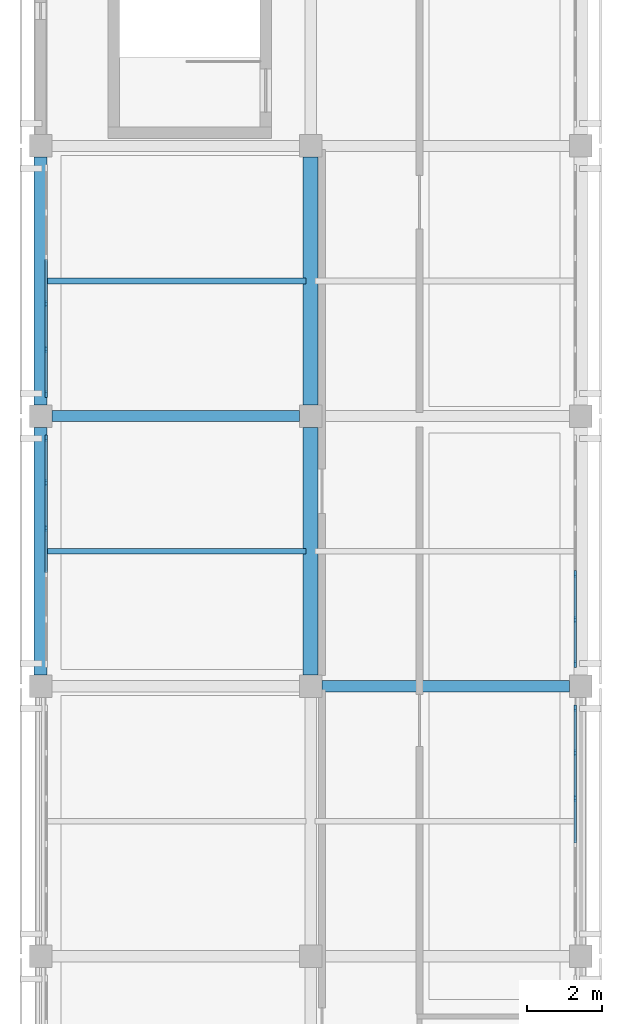
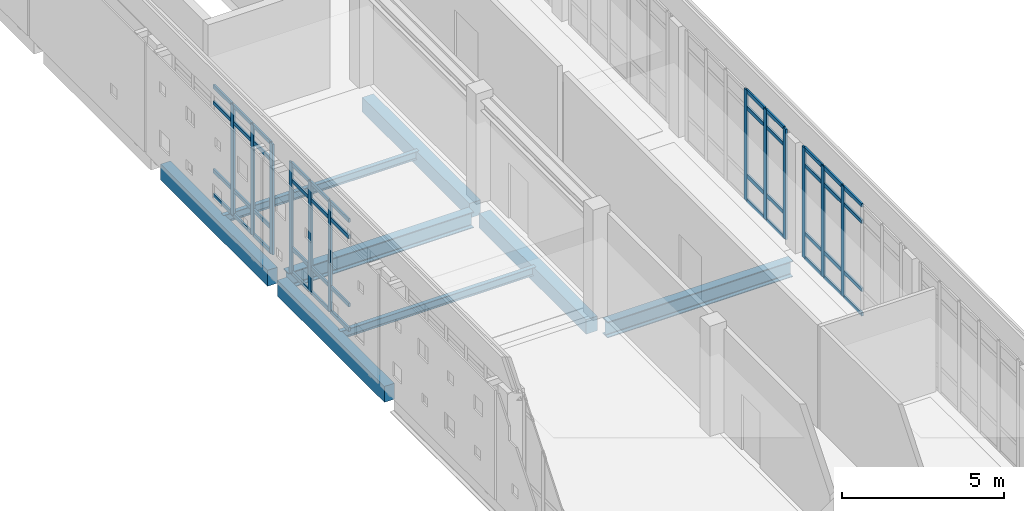
# One storey, part 6 of 19: 56 members, 8 beams, 4 elements without a shape of their own.
"""IFC4 building model written with IfcOpenShell, lengths in metres."""

from ifc_helpers import new_model, si_unit, direction, frame, origin, origin_2d, place, context, subcontext, project, spatial, rectangle, i_section, extrude, material, layer, layer_set, material_profile, profile_set, type_object, element, aggregate, save


model = new_model("IFC4")

# Units and contexts
model_context = context("Model", 3, precision=1e-05, world=origin(), true_north=direction((0.0, 1.0)))
body_context = subcontext(model_context, "Body", "Model", "MODEL_VIEW")
ifc_project = project(units=[si_unit("LENGTHUNIT", "METRE"), si_unit("AREAUNIT", "SQUARE_METRE"), si_unit("VOLUMEUNIT", "CUBIC_METRE"), si_unit("PLANEANGLEUNIT", "RADIAN"), si_unit("MASSUNIT", "GRAM", prefix="KILO")], contexts=[model_context])

# Site, building, storey
site_placement = place(None, origin())
site = spatial("IfcSite", under=ifc_project, at=site_placement, CompositionType="ELEMENT")
building_placement = place(site_placement, origin())
building = spatial("IfcBuilding", under=site, at=building_placement, Name="Valkovuoma Quantum and Materials Research Institute", CompositionType="ELEMENT")
storey_placement = place(building_placement, frame((0.0, 0.0, 38.080078125)))
storey = spatial("IfcBuildingStorey", under=building, at=storey_placement, Name="L09", CompositionType="ELEMENT", Elevation=38.080078125)

# Beams
ifc_material_1 = material(Name="Steel S355J2", Category="steel")
ifc_material_profile_1 = material_profile(ifc_material_1, i_section(OverallWidth=0.300048828125, OverallDepth=0.60009765625, WebThickness=0.015380859375, FlangeThickness=0.030029296875, FilletRadius=0.027099609375, at=origin_2d()), Name="Steel S355J2")
ifc_profile_set_1 = profile_set([ifc_material_profile_1], Name="Steel S355J2")
beam_type_1 = type_object("IfcBeamType", Name="Beam-B-HEB600", PredefinedType="BEAM", material=ifc_profile_set_1)
beam_1_placement = place(storey_placement, frame((7.5, 57.60009765625, -0.650146484375), z_axis=(1.0, 0.0, 0.0), x_axis=(0.0, 1.0, 0.0)))
element("IfcBeam", 1, at=beam_1_placement, inside=storey, type_object=beam_type_1, Name="L09 beam X-2579", PredefinedType="BEAM", context=body_context, shape_type="SweptSolid", body=[
    extrude(i_section(OverallWidth=0.300048828125, OverallDepth=0.60009765625, WebThickness=0.015380859375, FlangeThickness=0.030029296875, FilletRadius=0.027099609375, at=origin_2d()), origin(), (0.0, 0.0, 1.0), 6.60009765625),
])
beam_2_placement = place(storey_placement, frame((0.300048828125, 64.800048828125, -0.650146484375), z_axis=(1.0, 0.0, 0.0), x_axis=(0.0, 1.0, 0.0)))
element("IfcBeam", 2, at=beam_2_placement, inside=storey, type_object=beam_type_1, Name="L09 beam X-2580", PredefinedType="BEAM", context=body_context, shape_type="SweptSolid", body=[
    extrude(i_section(OverallWidth=0.300048828125, OverallDepth=0.60009765625, WebThickness=0.015380859375, FlangeThickness=0.030029296875, FilletRadius=0.027099609375, at=origin_2d()), origin(), (0.0, 0.0, 1.0), 6.599853515625),
])
ifc_material_2 = material(Name="Steel S355J2", Category="steel")
ifc_material_profile_2 = material_profile(ifc_material_2, i_section(OverallWidth=0.14990234375, OverallDepth=0.300048828125, WebThickness=0.007080078125, FlangeThickness=0.0107421875, FilletRadius=0.014892578125, at=origin_2d()), Name="Steel S355J2")
ifc_profile_set_2 = profile_set([ifc_material_profile_2], Name="Steel S355J2")
beam_type_2 = type_object("IfcBeamType", Name="Beam-B-JST300", PredefinedType="JOIST", material=ifc_profile_set_2)
for number, where, z_axis, x_axis, name in (
    (3, (0.1201171875, 61.199951171875, -0.5), (1.0, 0.0, 0.0), (0.0, 1.0, 0.0), "L09 floor joist 2606"),
    (4, (0.1201171875, 68.39990234375, -0.5), (1.0, 0.0, 0.0), (0.0, 1.0, 0.0), "L09 floor joist 2608"),
):
    element("IfcBeam", number, at=place(storey_placement, frame(where, z_axis=z_axis, x_axis=x_axis)), inside=storey, type_object=beam_type_2, Name=name, PredefinedType="JOIST", context=body_context, shape_type="SweptSolid", body=[
        extrude(i_section(OverallWidth=0.14990234375, OverallDepth=0.300048828125, WebThickness=0.007080078125, FlangeThickness=0.0107421875, FilletRadius=0.014892578125, at=origin_2d()), origin(), (0.0, 0.0, 1.0), 6.9599609375),
    ])
ifc_material_3 = material(Name="Concrete C40/50", Category="concrete")
ifc_material_profile_3 = material_profile(ifc_material_3, rectangle(XDim=0.39990234375, YDim=0.550048828125, at=origin_2d()), Name="Concrete C40/50")
ifc_profile_set_3 = profile_set([ifc_material_profile_3], Name="Concrete C40/50")
beam_type_3 = type_object("IfcBeamType", Name="Beam-B-RC550", PredefinedType="BEAM", material=ifc_profile_set_3)
beam_3_placement = place(storey_placement, frame((7.199951171875, 57.89990234375, -0.625), z_axis=(0.0, 1.0, 0.0), x_axis=(-1.0, 0.0, 0.0)))
element("IfcBeam", 5, at=beam_3_placement, inside=storey, type_object=beam_type_3, Name="L09 beam Y-2593", PredefinedType="BEAM", context=body_context, shape_type="SweptSolid", body=[
    extrude(rectangle(XDim=0.39990234375, YDim=0.550048828125, at=origin_2d()), origin(), (0.0, 0.0, 1.0), 6.60009765625),
])
beam_4_placement = place(storey_placement, frame((7.199951171875, 65.10009765625, -0.625), z_axis=(0.0, 1.0, 0.0), x_axis=(-1.0, 0.0, 0.0)))
element("IfcBeam", 6, at=beam_4_placement, inside=storey, type_object=beam_type_3, Name="L09 beam Y-2594", PredefinedType="BEAM", context=body_context, shape_type="SweptSolid", body=[
    extrude(rectangle(XDim=0.39990234375, YDim=0.550048828125, at=origin_2d()), origin(), (0.0, 0.0, 1.0), 6.599853515625),
])
ifc_material_4 = material(Name="Concrete C40/50", Category="concrete")
ifc_material_profile_4 = material_profile(ifc_material_4, rectangle(XDim=0.35009765625, YDim=0.60009765625, at=origin_2d()), Name="Concrete C40/50")
ifc_profile_set_4 = profile_set([ifc_material_profile_4], Name="Concrete C40/50")
beam_type_4 = type_object("IfcBeamType", Name="Beam-B-SPN600", PredefinedType="SPANDREL", material=ifc_profile_set_4)
beam_5_placement = place(storey_placement, frame((0.0, 57.89990234375, -0.650146484375), z_axis=(0.0, 1.0, 0.0), x_axis=(-1.0, 0.0, 0.0)))
element("IfcBeam", 7, at=beam_5_placement, inside=storey, type_object=beam_type_4, Name="L09 beam Y-2588", PredefinedType="SPANDREL", context=body_context, shape_type="SweptSolid", body=[
    extrude(rectangle(XDim=0.35009765625, YDim=0.60009765625, at=origin_2d()), origin(), (0.0, 0.0, 1.0), 6.60009765625),
])
beam_6_placement = place(storey_placement, frame((0.0, 65.10009765625, -0.650146484375), z_axis=(0.0, 1.0, 0.0), x_axis=(-1.0, 0.0, 0.0)))
element("IfcBeam", 8, at=beam_6_placement, inside=storey, type_object=beam_type_4, Name="L09 beam Y-2589", PredefinedType="SPANDREL", context=body_context, shape_type="SweptSolid", body=[
    extrude(rectangle(XDim=0.35009765625, YDim=0.60009765625, at=origin_2d()), origin(), (0.0, 0.0, 1.0), 6.599853515625),
])

# Curtain wall, members
ifc_material_5 = material(Name="Thermally broken aluminium and triple low-E glazing", Category="aluminium")
ifc_layer = layer(ifc_material_5, 0.219970703125)
ifc_layer_set = layer_set([ifc_layer], Name="Thermally broken aluminium and triple low-E glazing")
curtain_wall_type = type_object("IfcCurtainWallType", Name="CW-CW-01", PredefinedType="NOTDEFINED", material=ifc_layer_set)
curtain_wall_1_placement = place(storey_placement, origin())
curtain_wall_1 = element("IfcCurtainWall", 9, at=curtain_wall_1_placement, inside=storey, type_object=curtain_wall_type, Name="L09 curtain wall 135", PredefinedType="NOTDEFINED")
ifc_material_6 = material(Name="Anodised aluminium 6060-T66", Category="aluminium")
ifc_material_profile_5 = material_profile(ifc_material_6, rectangle(XDim=0.06494140625, YDim=0.179931640625, at=origin_2d()), Name="Anodised aluminium 6060-T66")
ifc_profile_set_5 = profile_set([ifc_material_profile_5], Name="Anodised aluminium 6060-T66")
member_type_1 = type_object("IfcMemberType", Name="CWMull-CWM-01", PredefinedType="MULLION", material=ifc_profile_set_5)
member_1_placement = place(storey_placement, frame((14.25, 54.608642578125, 0.0), z_axis=(0.0, 0.0, 1.0), x_axis=(-1.0, 0.0, 0.0)))
member_1 = element("IfcMember", 10, at=member_1_placement, type_object=member_type_1, Name="CW-01 mullion 4", PredefinedType="MULLION", context=body_context, shape_type="SweptSolid", body=[
    extrude(rectangle(XDim=0.06494140625, YDim=0.179931640625, at=origin_2d()), origin(), (0.0, 0.0, 1.0), 4.159912109375),
])
member_2_placement = place(storey_placement, frame((14.25, 55.82568359375, 0.0), z_axis=(0.0, 0.0, 1.0), x_axis=(-1.0, 0.0, 0.0)))
member_2 = element("IfcMember", 11, at=member_2_placement, type_object=member_type_1, Name="CW-01 mullion 5", PredefinedType="MULLION", context=body_context, shape_type="SweptSolid", body=[
    extrude(rectangle(XDim=0.06494140625, YDim=0.179931640625, at=origin_2d()), origin(), (0.0, 0.0, 1.0), 4.159912109375),
])
member_3_placement = place(storey_placement, frame((14.25, 57.010498046875, 0.0), z_axis=(0.0, 0.0, 1.0), x_axis=(-1.0, 0.0, 0.0)))
member_3 = element("IfcMember", 12, at=member_3_placement, type_object=member_type_1, Name="CW-01 mullion 6", PredefinedType="MULLION", context=body_context, shape_type="SweptSolid", body=[
    extrude(rectangle(XDim=0.06494140625, YDim=0.179931640625, at=origin_2d()), origin(), (0.0, 0.0, 1.0), 4.159912109375),
])

curtain_wall_2_placement = place(storey_placement, origin())
curtain_wall_2 = element("IfcCurtainWall", 13, at=curtain_wall_2_placement, inside=storey, type_object=curtain_wall_type, Name="L09 curtain wall 136", PredefinedType="NOTDEFINED")
member_4_placement = place(storey_placement, frame((0.14990234375, 61.80859375, 0.0), z_axis=(0.0, 0.0, 1.0), x_axis=(-1.0, 0.0, 0.0)))
member_4 = element("IfcMember", 14, at=member_4_placement, type_object=member_type_1, Name="CW-01 mullion 4", PredefinedType="MULLION", context=body_context, shape_type="SweptSolid", body=[
    extrude(rectangle(XDim=0.06494140625, YDim=0.179931640625, at=origin_2d()), origin(), (0.0, 0.0, 1.0), 4.159912109375),
])
member_5_placement = place(storey_placement, frame((0.14990234375, 63.025634765625, 0.0), z_axis=(0.0, 0.0, 1.0), x_axis=(-1.0, 0.0, 0.0)))
member_5 = element("IfcMember", 15, at=member_5_placement, type_object=member_type_1, Name="CW-01 mullion 5", PredefinedType="MULLION", context=body_context, shape_type="SweptSolid", body=[
    extrude(rectangle(XDim=0.06494140625, YDim=0.179931640625, at=origin_2d()), origin(), (0.0, 0.0, 1.0), 4.159912109375),
])
member_6_placement = place(storey_placement, frame((0.14990234375, 64.21044921875, 0.0), z_axis=(0.0, 0.0, 1.0), x_axis=(-1.0, 0.0, 0.0)))
member_6 = element("IfcMember", 16, at=member_6_placement, type_object=member_type_1, Name="CW-01 mullion 6", PredefinedType="MULLION", context=body_context, shape_type="SweptSolid", body=[
    extrude(rectangle(XDim=0.06494140625, YDim=0.179931640625, at=origin_2d()), origin(), (0.0, 0.0, 1.0), 4.159912109375),
])

curtain_wall_3_placement = place(storey_placement, origin())
curtain_wall_3 = element("IfcCurtainWall", 17, at=curtain_wall_3_placement, inside=storey, type_object=curtain_wall_type, Name="L09 curtain wall 137", PredefinedType="NOTDEFINED")
member_7_placement = place(storey_placement, frame((14.25, 58.189697265625, 0.0), z_axis=(0.0, 0.0, 1.0), x_axis=(-1.0, 0.0, 0.0)))
member_7 = element("IfcMember", 18, at=member_7_placement, type_object=member_type_1, Name="CW-01 mullion 1", PredefinedType="MULLION", context=body_context, shape_type="SweptSolid", body=[
    extrude(rectangle(XDim=0.06494140625, YDim=0.179931640625, at=origin_2d()), origin(), (0.0, 0.0, 1.0), 4.159912109375),
])
member_8_placement = place(storey_placement, frame((14.25, 59.374267578125, 0.0), z_axis=(0.0, 0.0, 1.0), x_axis=(-1.0, 0.0, 0.0)))
member_8 = element("IfcMember", 19, at=member_8_placement, type_object=member_type_1, Name="CW-01 mullion 2", PredefinedType="MULLION", context=body_context, shape_type="SweptSolid", body=[
    extrude(rectangle(XDim=0.06494140625, YDim=0.179931640625, at=origin_2d()), origin(), (0.0, 0.0, 1.0), 4.159912109375),
])
member_9_placement = place(storey_placement, frame((14.25, 60.59130859375, 0.0), z_axis=(0.0, 0.0, 1.0), x_axis=(-1.0, 0.0, 0.0)))
member_9 = element("IfcMember", 20, at=member_9_placement, type_object=member_type_1, Name="CW-01 mullion 3", PredefinedType="MULLION", context=body_context, shape_type="SweptSolid", body=[
    extrude(rectangle(XDim=0.06494140625, YDim=0.179931640625, at=origin_2d()), origin(), (0.0, 0.0, 1.0), 4.159912109375),
])

curtain_wall_4_placement = place(storey_placement, origin())
curtain_wall_4 = element("IfcCurtainWall", 21, at=curtain_wall_4_placement, inside=storey, type_object=curtain_wall_type, Name="L09 curtain wall 138", PredefinedType="NOTDEFINED")
member_10_placement = place(storey_placement, frame((0.14990234375, 65.3896484375, 0.0), z_axis=(0.0, 0.0, 1.0), x_axis=(-1.0, 0.0, 0.0)))
member_10 = element("IfcMember", 22, at=member_10_placement, type_object=member_type_1, Name="CW-01 mullion 1", PredefinedType="MULLION", context=body_context, shape_type="SweptSolid", body=[
    extrude(rectangle(XDim=0.06494140625, YDim=0.179931640625, at=origin_2d()), origin(), (0.0, 0.0, 1.0), 4.159912109375),
])
member_11_placement = place(storey_placement, frame((0.14990234375, 66.57421875, 0.0), z_axis=(0.0, 0.0, 1.0), x_axis=(-1.0, 0.0, 0.0)))
member_11 = element("IfcMember", 23, at=member_11_placement, type_object=member_type_1, Name="CW-01 mullion 2", PredefinedType="MULLION", context=body_context, shape_type="SweptSolid", body=[
    extrude(rectangle(XDim=0.06494140625, YDim=0.179931640625, at=origin_2d()), origin(), (0.0, 0.0, 1.0), 4.159912109375),
])
member_12_placement = place(storey_placement, frame((0.14990234375, 67.79150390625, 0.0), z_axis=(0.0, 0.0, 1.0), x_axis=(-1.0, 0.0, 0.0)))
member_12 = element("IfcMember", 24, at=member_12_placement, type_object=member_type_1, Name="CW-01 mullion 3", PredefinedType="MULLION", context=body_context, shape_type="SweptSolid", body=[
    extrude(rectangle(XDim=0.06494140625, YDim=0.179931640625, at=origin_2d()), origin(), (0.0, 0.0, 1.0), 4.159912109375),
])

# Member
ifc_material_7 = material(Name="Anodised aluminium 6060-T66", Category="aluminium")
ifc_material_profile_6 = material_profile(ifc_material_7, rectangle(XDim=0.06494140625, YDim=0.139892578125, at=origin_2d()), Name="Anodised aluminium 6060-T66")
ifc_profile_set_6 = profile_set([ifc_material_profile_6], Name="Anodised aluminium 6060-T66")
member_type_2 = type_object("IfcMemberType", Name="CWTran-CWT-01", PredefinedType="USERDEFINED", material=ifc_profile_set_6)
member_13_placement = place(storey_placement, frame((14.25, 53.423828125, 0.032470703125), z_axis=(0.0, 1.0, 0.0), x_axis=(-1.0, 0.0, 0.0)))
member_13 = element("IfcMember", 25, at=member_13_placement, type_object=member_type_2, Name="CW-01 transom 3.1", ObjectType="TRANSOM", PredefinedType="USERDEFINED", context=body_context, shape_type="SweptSolid", body=[
    extrude(rectangle(XDim=0.06494140625, YDim=0.139892578125, at=origin_2d()), origin(), (0.0, 0.0, 1.0), 1.15234375),
])

member_14_placement = place(storey_placement, frame((14.25, 53.423828125, 0.949951171875), z_axis=(0.0, 1.0, 0.0), x_axis=(-1.0, 0.0, 0.0)))
member_14 = element("IfcMember", 26, at=member_14_placement, type_object=member_type_2, Name="CW-01 transom 3.2", ObjectType="TRANSOM", PredefinedType="USERDEFINED", context=body_context, shape_type="SweptSolid", body=[
    extrude(rectangle(XDim=0.06494140625, YDim=0.139892578125, at=origin_2d()), origin(), (0.0, 0.0, 1.0), 1.15234375),
])

member_15_placement = place(storey_placement, frame((14.25, 53.423828125, 3.510009765625), z_axis=(0.0, 1.0, 0.0), x_axis=(-1.0, 0.0, 0.0)))
member_15 = element("IfcMember", 27, at=member_15_placement, type_object=member_type_2, Name="CW-01 transom 3.3", ObjectType="TRANSOM", PredefinedType="USERDEFINED", context=body_context, shape_type="SweptSolid", body=[
    extrude(rectangle(XDim=0.06494140625, YDim=0.139892578125, at=origin_2d()), origin(), (0.0, 0.0, 1.0), 1.15234375),
])

member_16_placement = place(storey_placement, frame((14.25, 53.423828125, 4.12744140625), z_axis=(0.0, 1.0, 0.0), x_axis=(-1.0, 0.0, 0.0)))
member_16 = element("IfcMember", 28, at=member_16_placement, type_object=member_type_2, Name="CW-01 transom 3.4", ObjectType="TRANSOM", PredefinedType="USERDEFINED", context=body_context, shape_type="SweptSolid", body=[
    extrude(rectangle(XDim=0.06494140625, YDim=0.139892578125, at=origin_2d()), origin(), (0.0, 0.0, 1.0), 1.15234375),
])

member_17_placement = place(storey_placement, frame((14.25, 54.64111328125, 0.032470703125), z_axis=(0.0, 1.0, 0.0), x_axis=(-1.0, 0.0, 0.0)))
member_17 = element("IfcMember", 29, at=member_17_placement, type_object=member_type_2, Name="CW-01 transom 4.1", ObjectType="TRANSOM", PredefinedType="USERDEFINED", context=body_context, shape_type="SweptSolid", body=[
    extrude(rectangle(XDim=0.06494140625, YDim=0.139892578125, at=origin_2d()), origin(), (0.0, 0.0, 1.0), 1.152099609375),
])

member_18_placement = place(storey_placement, frame((14.25, 54.64111328125, 0.949951171875), z_axis=(0.0, 1.0, 0.0), x_axis=(-1.0, 0.0, 0.0)))
member_18 = element("IfcMember", 30, at=member_18_placement, type_object=member_type_2, Name="CW-01 transom 4.2", ObjectType="TRANSOM", PredefinedType="USERDEFINED", context=body_context, shape_type="SweptSolid", body=[
    extrude(rectangle(XDim=0.06494140625, YDim=0.139892578125, at=origin_2d()), origin(), (0.0, 0.0, 1.0), 1.152099609375),
])

member_19_placement = place(storey_placement, frame((14.25, 54.64111328125, 3.510009765625), z_axis=(0.0, 1.0, 0.0), x_axis=(-1.0, 0.0, 0.0)))
member_19 = element("IfcMember", 31, at=member_19_placement, type_object=member_type_2, Name="CW-01 transom 4.3", ObjectType="TRANSOM", PredefinedType="USERDEFINED", context=body_context, shape_type="SweptSolid", body=[
    extrude(rectangle(XDim=0.06494140625, YDim=0.139892578125, at=origin_2d()), origin(), (0.0, 0.0, 1.0), 1.152099609375),
])

member_20_placement = place(storey_placement, frame((14.25, 54.64111328125, 4.12744140625), z_axis=(0.0, 1.0, 0.0), x_axis=(-1.0, 0.0, 0.0)))
member_20 = element("IfcMember", 32, at=member_20_placement, type_object=member_type_2, Name="CW-01 transom 4.4", ObjectType="TRANSOM", PredefinedType="USERDEFINED", context=body_context, shape_type="SweptSolid", body=[
    extrude(rectangle(XDim=0.06494140625, YDim=0.139892578125, at=origin_2d()), origin(), (0.0, 0.0, 1.0), 1.152099609375),
])

member_21_placement = place(storey_placement, frame((14.25, 55.858154296875, 0.032470703125), z_axis=(0.0, 1.0, 0.0), x_axis=(-1.0, 0.0, 0.0)))
member_21 = element("IfcMember", 33, at=member_21_placement, type_object=member_type_2, Name="CW-01 transom 5.1", ObjectType="TRANSOM", PredefinedType="USERDEFINED", context=body_context, shape_type="SweptSolid", body=[
    extrude(rectangle(XDim=0.06494140625, YDim=0.139892578125, at=origin_2d()), origin(), (0.0, 0.0, 1.0), 1.11962890625),
])

member_22_placement = place(storey_placement, frame((14.25, 55.858154296875, 0.949951171875), z_axis=(0.0, 1.0, 0.0), x_axis=(-1.0, 0.0, 0.0)))
member_22 = element("IfcMember", 34, at=member_22_placement, type_object=member_type_2, Name="CW-01 transom 5.2", ObjectType="TRANSOM", PredefinedType="USERDEFINED", context=body_context, shape_type="SweptSolid", body=[
    extrude(rectangle(XDim=0.06494140625, YDim=0.139892578125, at=origin_2d()), origin(), (0.0, 0.0, 1.0), 1.11962890625),
])

member_23_placement = place(storey_placement, frame((14.25, 55.858154296875, 3.510009765625), z_axis=(0.0, 1.0, 0.0), x_axis=(-1.0, 0.0, 0.0)))
member_23 = element("IfcMember", 35, at=member_23_placement, type_object=member_type_2, Name="CW-01 transom 5.3", ObjectType="TRANSOM", PredefinedType="USERDEFINED", context=body_context, shape_type="SweptSolid", body=[
    extrude(rectangle(XDim=0.06494140625, YDim=0.139892578125, at=origin_2d()), origin(), (0.0, 0.0, 1.0), 1.11962890625),
])

member_24_placement = place(storey_placement, frame((14.25, 55.858154296875, 4.12744140625), z_axis=(0.0, 1.0, 0.0), x_axis=(-1.0, 0.0, 0.0)))
member_24 = element("IfcMember", 36, at=member_24_placement, type_object=member_type_2, Name="CW-01 transom 5.4", ObjectType="TRANSOM", PredefinedType="USERDEFINED", context=body_context, shape_type="SweptSolid", body=[
    extrude(rectangle(XDim=0.06494140625, YDim=0.139892578125, at=origin_2d()), origin(), (0.0, 0.0, 1.0), 1.11962890625),
])

aggregate(curtain_wall_1, [member_1, member_2, member_3, member_13, member_14, member_15, member_16, member_17, member_18, member_19, member_20, member_21, member_22, member_23, member_24])

member_25_placement = place(storey_placement, frame((0.14990234375, 60.6240234375, 0.032470703125), z_axis=(0.0, 1.0, 0.0), x_axis=(-1.0, 0.0, 0.0)))
member_25 = element("IfcMember", 37, at=member_25_placement, type_object=member_type_2, Name="CW-01 transom 3.1", ObjectType="TRANSOM", PredefinedType="USERDEFINED", context=body_context, shape_type="SweptSolid", body=[
    extrude(rectangle(XDim=0.06494140625, YDim=0.139892578125, at=origin_2d()), origin(), (0.0, 0.0, 1.0), 1.152099609375),
])

member_26_placement = place(storey_placement, frame((0.14990234375, 60.6240234375, 0.949951171875), z_axis=(0.0, 1.0, 0.0), x_axis=(-1.0, 0.0, 0.0)))
member_26 = element("IfcMember", 38, at=member_26_placement, type_object=member_type_2, Name="CW-01 transom 3.2", ObjectType="TRANSOM", PredefinedType="USERDEFINED", context=body_context, shape_type="SweptSolid", body=[
    extrude(rectangle(XDim=0.06494140625, YDim=0.139892578125, at=origin_2d()), origin(), (0.0, 0.0, 1.0), 1.152099609375),
])

member_27_placement = place(storey_placement, frame((0.14990234375, 60.6240234375, 3.510009765625), z_axis=(0.0, 1.0, 0.0), x_axis=(-1.0, 0.0, 0.0)))
member_27 = element("IfcMember", 39, at=member_27_placement, type_object=member_type_2, Name="CW-01 transom 3.3", ObjectType="TRANSOM", PredefinedType="USERDEFINED", context=body_context, shape_type="SweptSolid", body=[
    extrude(rectangle(XDim=0.06494140625, YDim=0.139892578125, at=origin_2d()), origin(), (0.0, 0.0, 1.0), 1.152099609375),
])

member_28_placement = place(storey_placement, frame((0.14990234375, 60.6240234375, 4.12744140625), z_axis=(0.0, 1.0, 0.0), x_axis=(-1.0, 0.0, 0.0)))
member_28 = element("IfcMember", 40, at=member_28_placement, type_object=member_type_2, Name="CW-01 transom 3.4", ObjectType="TRANSOM", PredefinedType="USERDEFINED", context=body_context, shape_type="SweptSolid", body=[
    extrude(rectangle(XDim=0.06494140625, YDim=0.139892578125, at=origin_2d()), origin(), (0.0, 0.0, 1.0), 1.152099609375),
])

member_29_placement = place(storey_placement, frame((0.14990234375, 61.841064453125, 0.032470703125), z_axis=(0.0, 1.0, 0.0), x_axis=(-1.0, 0.0, 0.0)))
member_29 = element("IfcMember", 41, at=member_29_placement, type_object=member_type_2, Name="CW-01 transom 4.1", ObjectType="TRANSOM", PredefinedType="USERDEFINED", context=body_context, shape_type="SweptSolid", body=[
    extrude(rectangle(XDim=0.06494140625, YDim=0.139892578125, at=origin_2d()), origin(), (0.0, 0.0, 1.0), 1.152099609375),
])

member_30_placement = place(storey_placement, frame((0.14990234375, 61.841064453125, 0.949951171875), z_axis=(0.0, 1.0, 0.0), x_axis=(-1.0, 0.0, 0.0)))
member_30 = element("IfcMember", 42, at=member_30_placement, type_object=member_type_2, Name="CW-01 transom 4.2", ObjectType="TRANSOM", PredefinedType="USERDEFINED", context=body_context, shape_type="SweptSolid", body=[
    extrude(rectangle(XDim=0.06494140625, YDim=0.139892578125, at=origin_2d()), origin(), (0.0, 0.0, 1.0), 1.152099609375),
])

member_31_placement = place(storey_placement, frame((0.14990234375, 61.841064453125, 3.510009765625), z_axis=(0.0, 1.0, 0.0), x_axis=(-1.0, 0.0, 0.0)))
member_31 = element("IfcMember", 43, at=member_31_placement, type_object=member_type_2, Name="CW-01 transom 4.3", ObjectType="TRANSOM", PredefinedType="USERDEFINED", context=body_context, shape_type="SweptSolid", body=[
    extrude(rectangle(XDim=0.06494140625, YDim=0.139892578125, at=origin_2d()), origin(), (0.0, 0.0, 1.0), 1.152099609375),
])

member_32_placement = place(storey_placement, frame((0.14990234375, 61.841064453125, 4.12744140625), z_axis=(0.0, 1.0, 0.0), x_axis=(-1.0, 0.0, 0.0)))
member_32 = element("IfcMember", 44, at=member_32_placement, type_object=member_type_2, Name="CW-01 transom 4.4", ObjectType="TRANSOM", PredefinedType="USERDEFINED", context=body_context, shape_type="SweptSolid", body=[
    extrude(rectangle(XDim=0.06494140625, YDim=0.139892578125, at=origin_2d()), origin(), (0.0, 0.0, 1.0), 1.152099609375),
])

member_33_placement = place(storey_placement, frame((0.14990234375, 63.058349609375, 0.032470703125), z_axis=(0.0, 1.0, 0.0), x_axis=(-1.0, 0.0, 0.0)))
member_33 = element("IfcMember", 45, at=member_33_placement, type_object=member_type_2, Name="CW-01 transom 5.1", ObjectType="TRANSOM", PredefinedType="USERDEFINED", context=body_context, shape_type="SweptSolid", body=[
    extrude(rectangle(XDim=0.06494140625, YDim=0.139892578125, at=origin_2d()), origin(), (0.0, 0.0, 1.0), 1.11962890625),
])

member_34_placement = place(storey_placement, frame((0.14990234375, 63.058349609375, 0.949951171875), z_axis=(0.0, 1.0, 0.0), x_axis=(-1.0, 0.0, 0.0)))
member_34 = element("IfcMember", 46, at=member_34_placement, type_object=member_type_2, Name="CW-01 transom 5.2", ObjectType="TRANSOM", PredefinedType="USERDEFINED", context=body_context, shape_type="SweptSolid", body=[
    extrude(rectangle(XDim=0.06494140625, YDim=0.139892578125, at=origin_2d()), origin(), (0.0, 0.0, 1.0), 1.11962890625),
])

member_35_placement = place(storey_placement, frame((0.14990234375, 63.058349609375, 3.510009765625), z_axis=(0.0, 1.0, 0.0), x_axis=(-1.0, 0.0, 0.0)))
member_35 = element("IfcMember", 47, at=member_35_placement, type_object=member_type_2, Name="CW-01 transom 5.3", ObjectType="TRANSOM", PredefinedType="USERDEFINED", context=body_context, shape_type="SweptSolid", body=[
    extrude(rectangle(XDim=0.06494140625, YDim=0.139892578125, at=origin_2d()), origin(), (0.0, 0.0, 1.0), 1.11962890625),
])

member_36_placement = place(storey_placement, frame((0.14990234375, 63.058349609375, 4.12744140625), z_axis=(0.0, 1.0, 0.0), x_axis=(-1.0, 0.0, 0.0)))
member_36 = element("IfcMember", 48, at=member_36_placement, type_object=member_type_2, Name="CW-01 transom 5.4", ObjectType="TRANSOM", PredefinedType="USERDEFINED", context=body_context, shape_type="SweptSolid", body=[
    extrude(rectangle(XDim=0.06494140625, YDim=0.139892578125, at=origin_2d()), origin(), (0.0, 0.0, 1.0), 1.11962890625),
])

aggregate(curtain_wall_2, [member_4, member_5, member_6, member_25, member_26, member_27, member_28, member_29, member_30, member_31, member_32, member_33, member_34, member_35, member_36])

member_37_placement = place(storey_placement, frame((14.25, 58.22216796875, 0.032470703125), z_axis=(0.0, 1.0, 0.0), x_axis=(-1.0, 0.0, 0.0)))
member_37 = element("IfcMember", 49, at=member_37_placement, type_object=member_type_2, Name="CW-01 transom 1.1", ObjectType="TRANSOM", PredefinedType="USERDEFINED", context=body_context, shape_type="SweptSolid", body=[
    extrude(rectangle(XDim=0.06494140625, YDim=0.139892578125, at=origin_2d()), origin(), (0.0, 0.0, 1.0), 1.11962890625),
])

member_38_placement = place(storey_placement, frame((14.25, 58.22216796875, 0.949951171875), z_axis=(0.0, 1.0, 0.0), x_axis=(-1.0, 0.0, 0.0)))
member_38 = element("IfcMember", 50, at=member_38_placement, type_object=member_type_2, Name="CW-01 transom 1.2", ObjectType="TRANSOM", PredefinedType="USERDEFINED", context=body_context, shape_type="SweptSolid", body=[
    extrude(rectangle(XDim=0.06494140625, YDim=0.139892578125, at=origin_2d()), origin(), (0.0, 0.0, 1.0), 1.11962890625),
])

member_39_placement = place(storey_placement, frame((14.25, 58.22216796875, 3.510009765625), z_axis=(0.0, 1.0, 0.0), x_axis=(-1.0, 0.0, 0.0)))
member_39 = element("IfcMember", 51, at=member_39_placement, type_object=member_type_2, Name="CW-01 transom 1.3", ObjectType="TRANSOM", PredefinedType="USERDEFINED", context=body_context, shape_type="SweptSolid", body=[
    extrude(rectangle(XDim=0.06494140625, YDim=0.139892578125, at=origin_2d()), origin(), (0.0, 0.0, 1.0), 1.11962890625),
])

member_40_placement = place(storey_placement, frame((14.25, 58.22216796875, 4.12744140625), z_axis=(0.0, 1.0, 0.0), x_axis=(-1.0, 0.0, 0.0)))
member_40 = element("IfcMember", 52, at=member_40_placement, type_object=member_type_2, Name="CW-01 transom 1.4", ObjectType="TRANSOM", PredefinedType="USERDEFINED", context=body_context, shape_type="SweptSolid", body=[
    extrude(rectangle(XDim=0.06494140625, YDim=0.139892578125, at=origin_2d()), origin(), (0.0, 0.0, 1.0), 1.11962890625),
])

member_41_placement = place(storey_placement, frame((14.25, 59.40673828125, 0.032470703125), z_axis=(0.0, 1.0, 0.0), x_axis=(-1.0, 0.0, 0.0)))
member_41 = element("IfcMember", 53, at=member_41_placement, type_object=member_type_2, Name="CW-01 transom 2.1", ObjectType="TRANSOM", PredefinedType="USERDEFINED", context=body_context, shape_type="SweptSolid", body=[
    extrude(rectangle(XDim=0.06494140625, YDim=0.139892578125, at=origin_2d()), origin(), (0.0, 0.0, 1.0), 1.152099609375),
])

member_42_placement = place(storey_placement, frame((14.25, 59.40673828125, 0.949951171875), z_axis=(0.0, 1.0, 0.0), x_axis=(-1.0, 0.0, 0.0)))
member_42 = element("IfcMember", 54, at=member_42_placement, type_object=member_type_2, Name="CW-01 transom 2.2", ObjectType="TRANSOM", PredefinedType="USERDEFINED", context=body_context, shape_type="SweptSolid", body=[
    extrude(rectangle(XDim=0.06494140625, YDim=0.139892578125, at=origin_2d()), origin(), (0.0, 0.0, 1.0), 1.152099609375),
])

member_43_placement = place(storey_placement, frame((14.25, 59.40673828125, 3.510009765625), z_axis=(0.0, 1.0, 0.0), x_axis=(-1.0, 0.0, 0.0)))
member_43 = element("IfcMember", 55, at=member_43_placement, type_object=member_type_2, Name="CW-01 transom 2.3", ObjectType="TRANSOM", PredefinedType="USERDEFINED", context=body_context, shape_type="SweptSolid", body=[
    extrude(rectangle(XDim=0.06494140625, YDim=0.139892578125, at=origin_2d()), origin(), (0.0, 0.0, 1.0), 1.152099609375),
])

member_44_placement = place(storey_placement, frame((14.25, 59.40673828125, 4.12744140625), z_axis=(0.0, 1.0, 0.0), x_axis=(-1.0, 0.0, 0.0)))
member_44 = element("IfcMember", 56, at=member_44_placement, type_object=member_type_2, Name="CW-01 transom 2.4", ObjectType="TRANSOM", PredefinedType="USERDEFINED", context=body_context, shape_type="SweptSolid", body=[
    extrude(rectangle(XDim=0.06494140625, YDim=0.139892578125, at=origin_2d()), origin(), (0.0, 0.0, 1.0), 1.152099609375),
])

aggregate(curtain_wall_3, [member_7, member_8, member_9, member_37, member_38, member_39, member_40, member_41, member_42, member_43, member_44])

member_45_placement = place(storey_placement, frame((0.14990234375, 65.422119140625, 0.032470703125), z_axis=(0.0, 1.0, 0.0), x_axis=(-1.0, 0.0, 0.0)))
member_45 = element("IfcMember", 57, at=member_45_placement, type_object=member_type_2, Name="CW-01 transom 1.1", ObjectType="TRANSOM", PredefinedType="USERDEFINED", context=body_context, shape_type="SweptSolid", body=[
    extrude(rectangle(XDim=0.06494140625, YDim=0.139892578125, at=origin_2d()), origin(), (0.0, 0.0, 1.0), 1.11962890625),
])

member_46_placement = place(storey_placement, frame((0.14990234375, 65.422119140625, 0.949951171875), z_axis=(0.0, 1.0, 0.0), x_axis=(-1.0, 0.0, 0.0)))
member_46 = element("IfcMember", 58, at=member_46_placement, type_object=member_type_2, Name="CW-01 transom 1.2", ObjectType="TRANSOM", PredefinedType="USERDEFINED", context=body_context, shape_type="SweptSolid", body=[
    extrude(rectangle(XDim=0.06494140625, YDim=0.139892578125, at=origin_2d()), origin(), (0.0, 0.0, 1.0), 1.11962890625),
])

member_47_placement = place(storey_placement, frame((0.14990234375, 65.422119140625, 3.510009765625), z_axis=(0.0, 1.0, 0.0), x_axis=(-1.0, 0.0, 0.0)))
member_47 = element("IfcMember", 59, at=member_47_placement, type_object=member_type_2, Name="CW-01 transom 1.3", ObjectType="TRANSOM", PredefinedType="USERDEFINED", context=body_context, shape_type="SweptSolid", body=[
    extrude(rectangle(XDim=0.06494140625, YDim=0.139892578125, at=origin_2d()), origin(), (0.0, 0.0, 1.0), 1.11962890625),
])

member_48_placement = place(storey_placement, frame((0.14990234375, 65.422119140625, 4.12744140625), z_axis=(0.0, 1.0, 0.0), x_axis=(-1.0, 0.0, 0.0)))
member_48 = element("IfcMember", 60, at=member_48_placement, type_object=member_type_2, Name="CW-01 transom 1.4", ObjectType="TRANSOM", PredefinedType="USERDEFINED", context=body_context, shape_type="SweptSolid", body=[
    extrude(rectangle(XDim=0.06494140625, YDim=0.139892578125, at=origin_2d()), origin(), (0.0, 0.0, 1.0), 1.11962890625),
])

member_49_placement = place(storey_placement, frame((0.14990234375, 66.606689453125, 0.032470703125), z_axis=(0.0, 1.0, 0.0), x_axis=(-1.0, 0.0, 0.0)))
member_49 = element("IfcMember", 61, at=member_49_placement, type_object=member_type_2, Name="CW-01 transom 2.1", ObjectType="TRANSOM", PredefinedType="USERDEFINED", context=body_context, shape_type="SweptSolid", body=[
    extrude(rectangle(XDim=0.06494140625, YDim=0.139892578125, at=origin_2d()), origin(), (0.0, 0.0, 1.0), 1.15234375),
])

member_50_placement = place(storey_placement, frame((0.14990234375, 66.606689453125, 0.949951171875), z_axis=(0.0, 1.0, 0.0), x_axis=(-1.0, 0.0, 0.0)))
member_50 = element("IfcMember", 62, at=member_50_placement, type_object=member_type_2, Name="CW-01 transom 2.2", ObjectType="TRANSOM", PredefinedType="USERDEFINED", context=body_context, shape_type="SweptSolid", body=[
    extrude(rectangle(XDim=0.06494140625, YDim=0.139892578125, at=origin_2d()), origin(), (0.0, 0.0, 1.0), 1.15234375),
])

member_51_placement = place(storey_placement, frame((0.14990234375, 66.606689453125, 3.510009765625), z_axis=(0.0, 1.0, 0.0), x_axis=(-1.0, 0.0, 0.0)))
member_51 = element("IfcMember", 63, at=member_51_placement, type_object=member_type_2, Name="CW-01 transom 2.3", ObjectType="TRANSOM", PredefinedType="USERDEFINED", context=body_context, shape_type="SweptSolid", body=[
    extrude(rectangle(XDim=0.06494140625, YDim=0.139892578125, at=origin_2d()), origin(), (0.0, 0.0, 1.0), 1.15234375),
])

member_52_placement = place(storey_placement, frame((0.14990234375, 66.606689453125, 4.12744140625), z_axis=(0.0, 1.0, 0.0), x_axis=(-1.0, 0.0, 0.0)))
member_52 = element("IfcMember", 64, at=member_52_placement, type_object=member_type_2, Name="CW-01 transom 2.4", ObjectType="TRANSOM", PredefinedType="USERDEFINED", context=body_context, shape_type="SweptSolid", body=[
    extrude(rectangle(XDim=0.06494140625, YDim=0.139892578125, at=origin_2d()), origin(), (0.0, 0.0, 1.0), 1.15234375),
])

member_53_placement = place(storey_placement, frame((0.14990234375, 67.823974609375, 0.032470703125), z_axis=(0.0, 1.0, 0.0), x_axis=(-1.0, 0.0, 0.0)))
member_53 = element("IfcMember", 65, at=member_53_placement, type_object=member_type_2, Name="CW-01 transom 3.1", ObjectType="TRANSOM", PredefinedType="USERDEFINED", context=body_context, shape_type="SweptSolid", body=[
    extrude(rectangle(XDim=0.06494140625, YDim=0.139892578125, at=origin_2d()), origin(), (0.0, 0.0, 1.0), 1.152099609375),
])

member_54_placement = place(storey_placement, frame((0.14990234375, 67.823974609375, 0.949951171875), z_axis=(0.0, 1.0, 0.0), x_axis=(-1.0, 0.0, 0.0)))
member_54 = element("IfcMember", 66, at=member_54_placement, type_object=member_type_2, Name="CW-01 transom 3.2", ObjectType="TRANSOM", PredefinedType="USERDEFINED", context=body_context, shape_type="SweptSolid", body=[
    extrude(rectangle(XDim=0.06494140625, YDim=0.139892578125, at=origin_2d()), origin(), (0.0, 0.0, 1.0), 1.152099609375),
])

member_55_placement = place(storey_placement, frame((0.14990234375, 67.823974609375, 3.510009765625), z_axis=(0.0, 1.0, 0.0), x_axis=(-1.0, 0.0, 0.0)))
member_55 = element("IfcMember", 67, at=member_55_placement, type_object=member_type_2, Name="CW-01 transom 3.3", ObjectType="TRANSOM", PredefinedType="USERDEFINED", context=body_context, shape_type="SweptSolid", body=[
    extrude(rectangle(XDim=0.06494140625, YDim=0.139892578125, at=origin_2d()), origin(), (0.0, 0.0, 1.0), 1.152099609375),
])

member_56_placement = place(storey_placement, frame((0.14990234375, 67.823974609375, 4.12744140625), z_axis=(0.0, 1.0, 0.0), x_axis=(-1.0, 0.0, 0.0)))
member_56 = element("IfcMember", 68, at=member_56_placement, type_object=member_type_2, Name="CW-01 transom 3.4", ObjectType="TRANSOM", PredefinedType="USERDEFINED", context=body_context, shape_type="SweptSolid", body=[
    extrude(rectangle(XDim=0.06494140625, YDim=0.139892578125, at=origin_2d()), origin(), (0.0, 0.0, 1.0), 1.152099609375),
])

aggregate(curtain_wall_4, [member_10, member_11, member_12, member_45, member_46, member_47, member_48, member_49, member_50, member_51, member_52, member_53, member_54, member_55, member_56])

save(model, "model.ifc")
